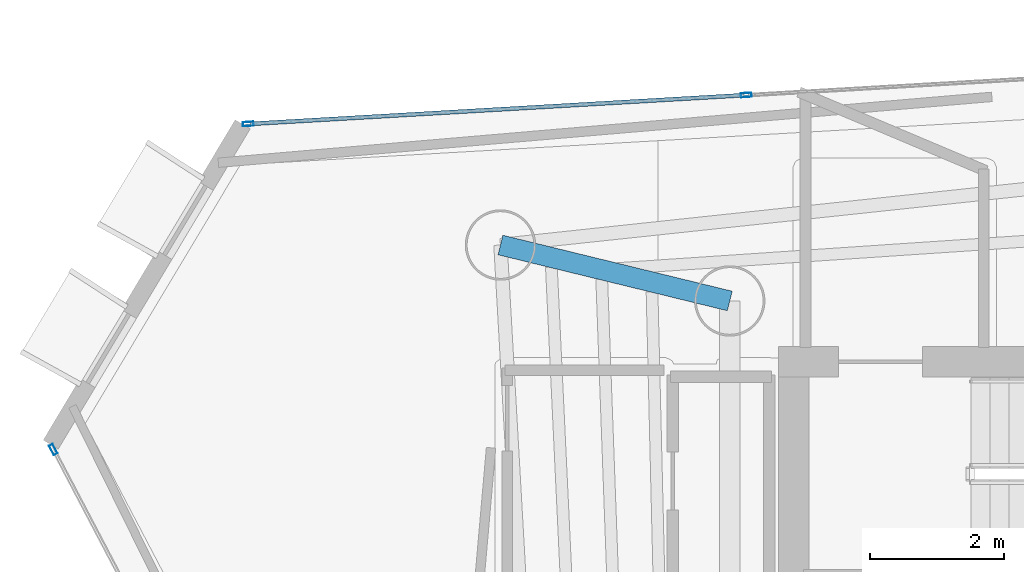
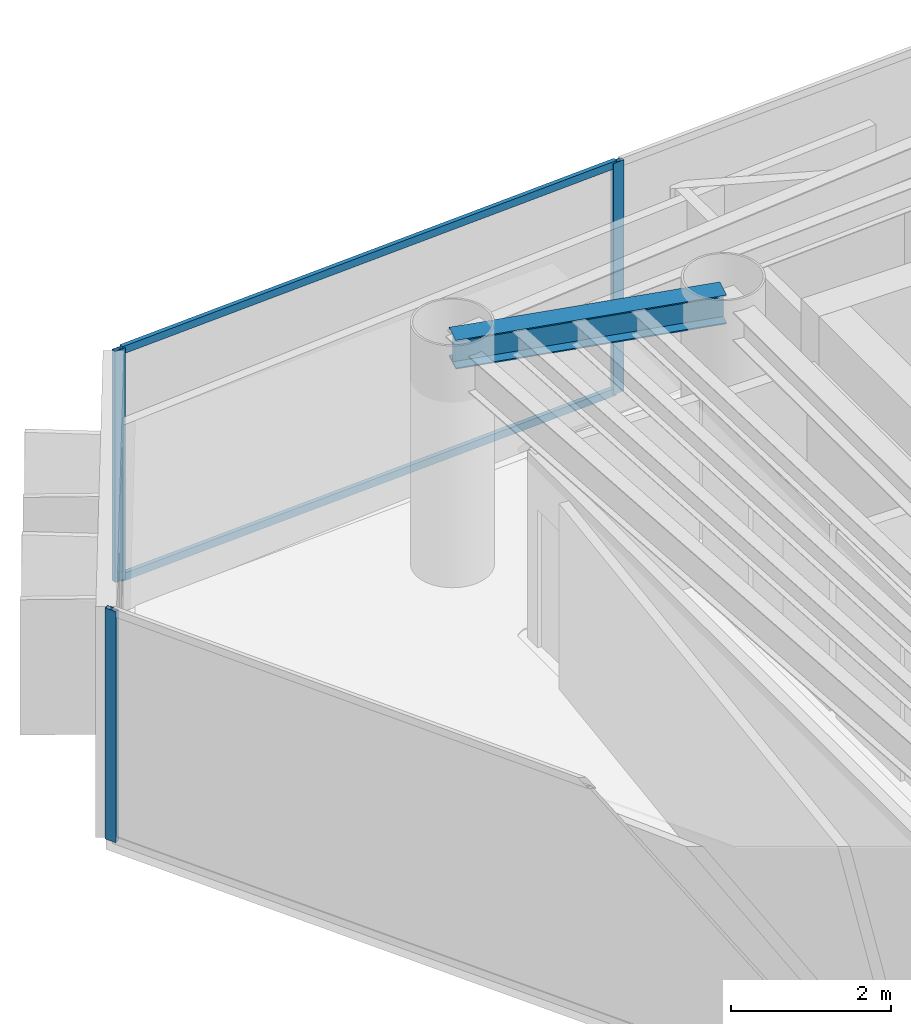
# One storey, part 8 of 18: 5 members, 1 beam, 2 elements without a shape of their own.
"""IFC4 building model written with IfcOpenShell, lengths in metres."""

import ifcopenshell
import ifcopenshell.guid

model = None  # the IFC model being written
_history = None  # IfcOwnerHistory: only IFC2X3 demands one
_inside = {}  # id of a spatial element -> (the spatial element, [elements in it])
_under = {}  # id of a project, library or spatial element -> (it, [spatial elements below it])
_declared = {}  # id of a project -> (the project, [libraries it declares])
_typed = {}  # id of a type object -> (the type object, [elements of that type])
_made_of = {}  # id of a material, layer set ... -> (it, [elements and type objects made of it])


def new_model(schema):
    """Start an empty IFC model of exactly this schema.

    Asked for "IFC4X3", IfcOpenShell would pick the latest addendum, in which some entities
    have other attributes; the version numbers below select the first issue.
    IFC2X3 requires an IfcOwnerHistory on every rooted entity: one is made here for all.
    """
    global model, _history
    if schema == "IFC4X3":
        model = ifcopenshell.file(schema_version=(4, 3, 0, 0))
    else:
        model = ifcopenshell.file(schema=schema)
    _inside.clear()
    _under.clear()
    _declared.clear()
    _typed.clear()
    _made_of.clear()
    _history = None
    if model.schema == "IFC2X3":
        org = make("IfcOrganization", Name="unknown")
        user = make(
            "IfcPersonAndOrganization",
            ThePerson=make("IfcPerson", FamilyName="unknown"),
            TheOrganization=org,
        )
        app = make(
            "IfcApplication",
            ApplicationDeveloper=org,
            Version="unknown",
            ApplicationFullName="unknown",
            ApplicationIdentifier="unknown",
        )
        _history = make(
            "IfcOwnerHistory",
            OwningUser=user,
            OwningApplication=app,
            ChangeAction="ADDED",
            CreationDate=0,
        )
    return model


def make(cls, **values):
    """One entity of the class cls with the attributes given. An attribute that is None is left unset."""
    return model.create_entity(
        cls, **{name: value for name, value in values.items() if value is not None}
    )


def rooted(cls, **values):
    """An entity with a GlobalId (a new one), such as an element, a storey or a relation."""
    return make(cls, GlobalId=ifcopenshell.guid.new(), OwnerHistory=_history, **values)


def si_unit(unit_type, name, prefix=None):
    """IfcSIUnit, for example si_unit("LENGTHUNIT", "METRE", prefix="MILLI")."""
    return make("IfcSIUnit", UnitType=unit_type, Prefix=prefix, Name=name)


def assignment(units):
    """IfcUnitAssignment: the units of a project."""
    return None if units is None else make("IfcUnitAssignment", Units=units)


def point(xyz):
    """IfcCartesianPoint."""
    return None if xyz is None else make("IfcCartesianPoint", Coordinates=xyz)


def direction(xyz):
    """IfcDirection."""
    return None if xyz is None else make("IfcDirection", DirectionRatios=xyz)


def frame(location, z_axis=None, x_axis=None):
    """IfcAxis2Placement3D, a coordinate frame: its origin and axes. An axis left out is left unset."""
    return make(
        "IfcAxis2Placement3D",
        Location=point(location),
        Axis=direction(z_axis),
        RefDirection=direction(x_axis),
    )


def frame_2d(location, x_axis=None):
    """IfcAxis2Placement2D, a coordinate frame in the plane: its origin and x axis."""
    return make(
        "IfcAxis2Placement2D", Location=point(location), RefDirection=direction(x_axis)
    )


def origin():
    """The frame at (0, 0, 0) with its axes left unset."""
    return frame((0.0, 0.0, 0.0))


def origin_2d():
    """The frame at (0, 0) in the plane with its x axis left unset."""
    return frame_2d((0.0, 0.0))


def place(relative_to, where):
    """IfcLocalPlacement: puts the frame where relative to a parent placement (None: the world)."""
    return make(
        "IfcLocalPlacement", PlacementRelTo=relative_to, RelativePlacement=where
    )


def context(
    kind, dimensions, precision=None, world=None, true_north=None, identifier=None
):
    """IfcGeometricRepresentationContext, for example the 3D "Model" context."""
    return make(
        "IfcGeometricRepresentationContext",
        ContextIdentifier=identifier,
        ContextType=kind,
        CoordinateSpaceDimension=dimensions,
        Precision=precision,
        WorldCoordinateSystem=world,
        TrueNorth=true_north,
    )


def subcontext(parent, identifier, kind, view, scale=None):
    """IfcGeometricRepresentationSubContext, for example "Body" below "Model"."""
    return make(
        "IfcGeometricRepresentationSubContext",
        ContextIdentifier=identifier,
        ContextType=kind,
        ParentContext=parent,
        TargetScale=scale,
        TargetView=view,
    )


def project(units=None, contexts=None):
    """IfcProject with its units and contexts."""
    return rooted(
        "IfcProject",
        Name="project",
        RepresentationContexts=contexts,
        UnitsInContext=assignment(units),
    )


def spatial(cls, under=None, at=None, **own):
    """A site, building, storey or space (cls), placed at a placement, below another one or the project."""
    s = rooted(cls, ObjectPlacement=at, **own)
    if under is not None:
        _under.setdefault(under.id(), (under, []))[1].append(s)
    return s


def profile(cls, at=None, kind="AREA", **sizes):
    """A parametric profile (cls). Its sizes go by their IFC names, for example OverallWidth=200.0."""
    return make(cls, ProfileType=kind, Position=at, **sizes)


def hollow_rectangle(**sizes):
    """IfcRectangleHollowProfileDef."""
    return profile("IfcRectangleHollowProfileDef", **sizes)


def i_section(**sizes):
    """IfcIShapeProfileDef."""
    return profile("IfcIShapeProfileDef", **sizes)


def extrude(swept, where, along, depth):
    """IfcExtrudedAreaSolid: the profile swept, set in the frame where, extruded along a direction by depth."""
    return make(
        "IfcExtrudedAreaSolid",
        SweptArea=swept,
        Position=where,
        ExtrudedDirection=direction(along),
        Depth=depth,
    )


def shape(context_of_items, identifier, shape_type, items):
    """IfcShapeRepresentation: the items that make up one representation, for example the "Body"."""
    return make(
        "IfcShapeRepresentation",
        ContextOfItems=context_of_items,
        RepresentationIdentifier=identifier,
        RepresentationType=shape_type,
        Items=items,
    )


def material(Name=None, Category=None):
    """IfcMaterial."""
    return make("IfcMaterial", Name=Name, Category=Category)


def layer(
    of_material, thickness, ventilated=None, Name=None, Category=None, Priority=None
):
    """IfcMaterialLayer: one layer of a wall or slab, of a material (None: an air gap)."""
    return make(
        "IfcMaterialLayer",
        Material=of_material,
        LayerThickness=thickness,
        IsVentilated=ventilated,
        Name=Name,
        Category=Category,
        Priority=Priority,
    )


def layer_set(layers, Name=None):
    """IfcMaterialLayerSet."""
    return make("IfcMaterialLayerSet", MaterialLayers=layers, LayerSetName=Name)


def material_profile(
    of_material, cross_section, Name=None, Category=None, Priority=None
):
    """IfcMaterialProfile: a cross section and its material."""
    return make(
        "IfcMaterialProfile",
        Name=Name,
        Material=of_material,
        Profile=cross_section,
        Priority=Priority,
        Category=Category,
    )


def profile_set(profiles, Name=None, composite=None):
    """IfcMaterialProfileSet."""
    return make(
        "IfcMaterialProfileSet",
        Name=Name,
        MaterialProfiles=profiles,
        CompositeProfile=composite,
    )


def made_of(thing, what):
    """Note that an element or type object is made of a material, layer set ...; save() writes the relation."""
    if what is not None:
        _made_of.setdefault(what.id(), (what, []))[1].append(thing)
    return thing


def type_object(cls, material=None, **own):
    """A type object (cls), such as IfcWallType, which elements share."""
    return made_of(rooted(cls, **own), material)


def element(
    cls,
    number,
    at=None,
    inside=None,
    cuts=None,
    type_object=None,
    material=None,
    context=None,
    identifier="Body",
    shape_type=None,
    held_by="IfcProductDefinitionShape",
    body=None,
    shapes=None,
    **own,
):
    """One element of the class cls, such as IfcWall. Its Tag is "e" and its number.

    at: its placement. inside: the storey or other place that contains it. cuts: it is an
    opening in that element (IfcRelVoidsElement). A single representation is given by context,
    identifier, shape_type and body (its items); several are given by shapes. held_by: the class
    of the entity that holds the representations. save() writes the other relations.
    """
    e = rooted(cls, Tag="e%d" % number, ObjectPlacement=at, **own)
    if body is not None:
        shapes = [shape(context, identifier, shape_type, body)]
    if shapes is not None:
        e.Representation = make(held_by, Representations=shapes)
    if inside is not None:
        _inside.setdefault(inside.id(), (inside, []))[1].append(e)
    if cuts is not None:
        rooted(
            "IfcRelVoidsElement", RelatingBuildingElement=cuts, RelatedOpeningElement=e
        )
    if type_object is not None:
        _typed.setdefault(type_object.id(), (type_object, []))[1].append(e)
    return made_of(e, material)


def aggregate(whole, parts):
    """IfcRelAggregates: a whole, such as a stair, and the parts it consists of."""
    return rooted("IfcRelAggregates", RelatingObject=whole, RelatedObjects=parts)


def save(model, path):
    """Write the relations noted so far, then the file.

    IfcRelAggregates (storeys below a building ...), IfcRelContainedInSpatialStructure (elements
    in a storey), IfcRelDefinesByType, IfcRelAssociatesMaterial and IfcRelDeclares: one each for
    every whole, place, type object, material and project.
    """
    for whole, parts in _under.values():
        aggregate(whole, parts)
    for where, things in _inside.values():
        rooted(
            "IfcRelContainedInSpatialStructure",
            RelatedElements=things,
            RelatingStructure=where,
        )
    for kind, things in _typed.values():
        rooted("IfcRelDefinesByType", RelatedObjects=things, RelatingType=kind)
    for what, things in _made_of.values():
        rooted("IfcRelAssociatesMaterial", RelatedObjects=things, RelatingMaterial=what)
    for by, libraries in _declared.values():
        rooted("IfcRelDeclares", RelatingContext=by, RelatedDefinitions=libraries)
    model.write(path)


model = new_model("IFC4")

# Units and contexts
model_context = context("Model", 3, precision=1e-05, world=origin(), true_north=direction((0.0, 1.0)))
body_context = subcontext(model_context, "Body", "Model", "MODEL_VIEW")
ifc_project = project(units=[si_unit("LENGTHUNIT", "METRE"), si_unit("AREAUNIT", "SQUARE_METRE"), si_unit("VOLUMEUNIT", "CUBIC_METRE"), si_unit("PLANEANGLEUNIT", "RADIAN"), si_unit("MASSUNIT", "GRAM", prefix="KILO")], contexts=[model_context])

# Site, building, storey
site_placement = place(None, origin())
site = spatial("IfcSite", under=ifc_project, at=site_placement, CompositionType="ELEMENT")
building_placement = place(site_placement, origin())
building = spatial("IfcBuilding", under=site, at=building_placement, Name="Qianvela Tower", CompositionType="ELEMENT")
storey_placement = place(building_placement, frame((0.0, 0.0, 264.89990234375)))
storey = spatial("IfcBuildingStorey", under=building, at=storey_placement, Name="L68", CompositionType="ELEMENT", Elevation=264.89990234375)

# Beam
ifc_material_1 = material(Name="Steel Q355B", Category="steel")
ifc_material_profile_1 = material_profile(ifc_material_1, i_section(OverallWidth=0.300048828125, OverallDepth=0.43994140625, WebThickness=0.010986328125, FlangeThickness=0.01806640625, at=origin_2d()), Name="HM440x300x11x18")
ifc_profile_set_1 = profile_set([ifc_material_profile_1], Name="Steel Q355B")
beam_type = type_object("IfcBeamType", Name="BM-HM440-COLL", PredefinedType="BEAM", material=ifc_profile_set_1)
beam_placement = place(storey_placement, frame((28.60009765625, 33.550048828125, 3.298095703125), z_axis=(-0.971502414323, 0.237029658405, 0.0), x_axis=(-0.237029658405, -0.971502414323, 0.0)))
element("IfcBeam", 1, at=beam_placement, inside=storey, type_object=beam_type, Name="L68 Radial Primary Floor Girder 3", PredefinedType="BEAM", context=body_context, shape_type="SweptSolid", body=[
    extrude(i_section(OverallWidth=0.300048828125, OverallDepth=0.43994140625, WebThickness=0.010986328125, FlangeThickness=0.01806640625, at=origin_2d()), origin(), (0.0, 0.0, 1.0), 3.5185546875),
])

# Curtain wall, members
ifc_material_2 = material(Name="Anodised Architectural Aluminium and Low-E Glass", Category="aluminium")
ifc_layer = layer(ifc_material_2, 0.159912109375)
ifc_layer_set = layer_set([ifc_layer], Name="Anodised Architectural Aluminium and Low-E Glass")
curtain_wall_type = type_object("IfcCurtainWallType", Name="CW-COLIV-Z56", PredefinedType="USERDEFINED", material=ifc_layer_set)
curtain_wall_1_placement = place(storey_placement, origin())
curtain_wall_1 = element("IfcCurtainWall", 2, at=curtain_wall_1_placement, inside=storey, type_object=curtain_wall_type, Name="L68 CW-COLIV-Z56 Curtain Wall 02C", ObjectType="CURTAIN_WALL_SYSTEM", PredefinedType="USERDEFINED")
ifc_material_3 = material(Name="Anodised Architectural Aluminium 6063-T6", Category="aluminium")
ifc_material_profile_2 = material_profile(ifc_material_3, hollow_rectangle(XDim=0.06494140625, YDim=0.159912109375, WallThickness=0.0048828125, at=origin_2d()), Name="ALU-MULL-65x160")
ifc_profile_set_2 = profile_set([ifc_material_profile_2], Name="Anodised Architectural Aluminium 6063-T6")
member_type_1 = type_object("IfcMemberType", Name="CW-COLIV-Z56-MULL", PredefinedType="MULLION", material=ifc_profile_set_2)
member_1_placement = place(storey_placement, frame((28.845947265625, 36.620361328125, 0.0), z_axis=(0.0, 0.0, 1.0), x_axis=(0.058036945112, -0.998314435938, 0.0)))
member_1 = element("IfcMember", 3, at=member_1_placement, type_object=member_type_1, Name="CW-5 mullion 2", PredefinedType="MULLION", context=body_context, shape_type="SweptSolid", body=[
    extrude(hollow_rectangle(XDim=0.06494140625, YDim=0.159912109375, WallThickness=0.0048828125, at=origin_2d()), origin(), (0.0, 0.0, 1.0), 3.52001953125),
])
member_2_placement = place(storey_placement, frame((21.420654296875, 36.188720703125, 0.0), z_axis=(0.0, 0.0, 1.0), x_axis=(0.058036945112, -0.998314435938, 0.0)))
member_2 = element("IfcMember", 4, at=member_2_placement, type_object=member_type_1, Name="CW-5 mullion 3", PredefinedType="MULLION", context=body_context, shape_type="SweptSolid", body=[
    extrude(hollow_rectangle(XDim=0.06494140625, YDim=0.159912109375, WallThickness=0.0048828125, at=origin_2d()), origin(), (0.0, 0.0, 1.0), 3.52001953125),
])

# Curtain wall, member
curtain_wall_2_placement = place(storey_placement, origin())
curtain_wall_2 = element("IfcCurtainWall", 5, at=curtain_wall_2_placement, inside=storey, type_object=curtain_wall_type, Name="L68 CW-COLIV-Z56 Curtain Wall 04A", ObjectType="CURTAIN_WALL_SYSTEM", PredefinedType="USERDEFINED")
member_3_placement = place(storey_placement, frame((18.514892578125, 31.335693359375, 0.0), z_axis=(0.0, 0.0, 1.0), x_axis=(0.885555322761, 0.464533928071, 0.0)))
member_3 = element("IfcMember", 6, at=member_3_placement, type_object=member_type_1, Name="CW-5 mullion 1", PredefinedType="MULLION", context=body_context, shape_type="SweptSolid", body=[
    extrude(hollow_rectangle(XDim=0.06494140625, YDim=0.159912109375, WallThickness=0.0048828125, at=origin_2d()), origin(), (0.0, 0.0, 1.0), 3.52001953125),
])
aggregate(curtain_wall_2, [member_3])

# Member
ifc_material_4 = material(Name="Anodised Architectural Aluminium 6063-T6", Category="aluminium")
ifc_material_profile_3 = material_profile(ifc_material_4, hollow_rectangle(XDim=0.06005859375, YDim=0.114990234375, WallThickness=0.00390625, at=origin_2d()), Name="ALU-TRAN-60x115")
ifc_profile_set_3 = profile_set([ifc_material_profile_3], Name="Anodised Architectural Aluminium 6063-T6")
member_type_2 = type_object("IfcMemberType", Name="CW-COLIV-Z56-TRAN", PredefinedType="USERDEFINED", material=ifc_profile_set_3)
member_4_placement = place(storey_placement, frame((28.8134765625, 36.61865234375, 0.030029296875), z_axis=(-0.99831376826, -0.058048428943, 0.0), x_axis=(0.058048428943, -0.99831376826, 0.0)))
member_4 = element("IfcMember", 7, at=member_4_placement, type_object=member_type_2, Name="CW-5 transom 2.1", ObjectType="TRANSOM", PredefinedType="USERDEFINED", context=body_context, shape_type="SweptSolid", body=[
    extrude(hollow_rectangle(XDim=0.06005859375, YDim=0.114990234375, WallThickness=0.00390625, at=origin_2d()), origin(), (0.0, 0.0, 1.0), 7.372802734375),
])

member_5_placement = place(storey_placement, frame((28.8134765625, 36.61865234375, 3.489990234375), z_axis=(-0.99831376826, -0.058048428943, 0.0), x_axis=(0.058048428943, -0.99831376826, 0.0)))
member_5 = element("IfcMember", 8, at=member_5_placement, type_object=member_type_2, Name="CW-5 transom 2.2", ObjectType="TRANSOM", PredefinedType="USERDEFINED", context=body_context, shape_type="SweptSolid", body=[
    extrude(hollow_rectangle(XDim=0.06005859375, YDim=0.114990234375, WallThickness=0.00390625, at=origin_2d()), origin(), (0.0, 0.0, 1.0), 7.372802734375),
])

aggregate(curtain_wall_1, [member_1, member_2, member_4, member_5])

save(model, "model.ifc")
